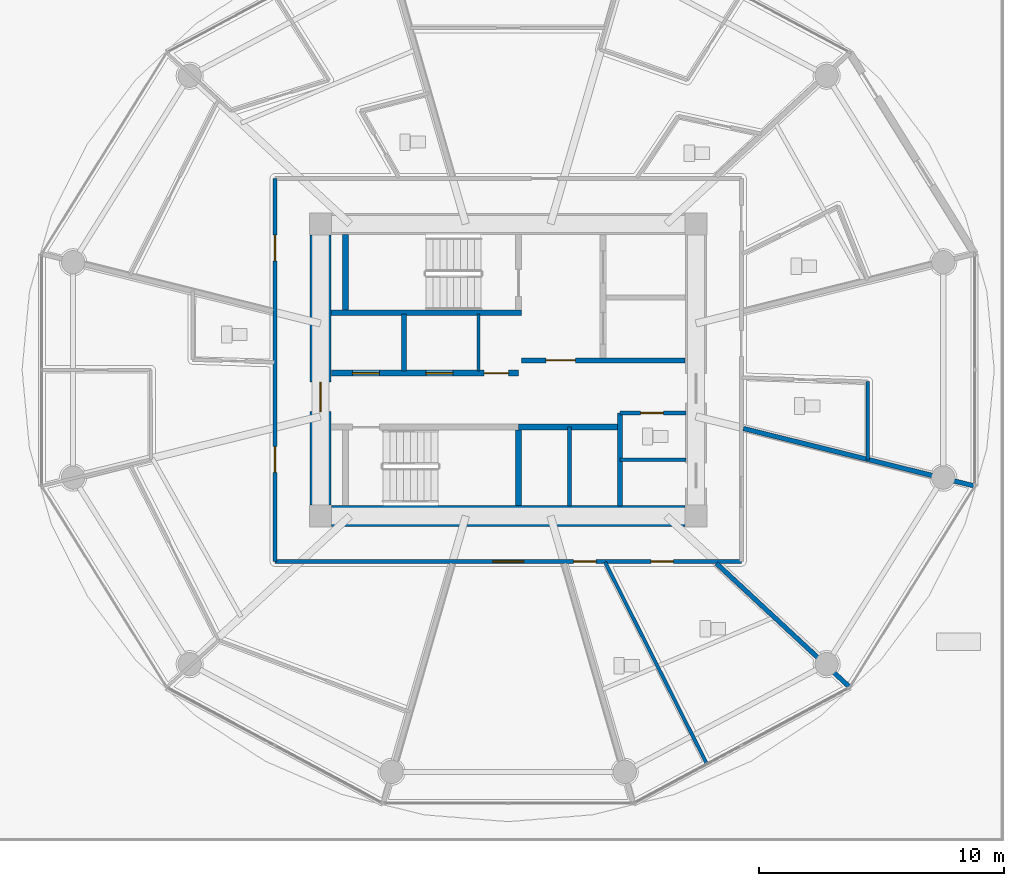
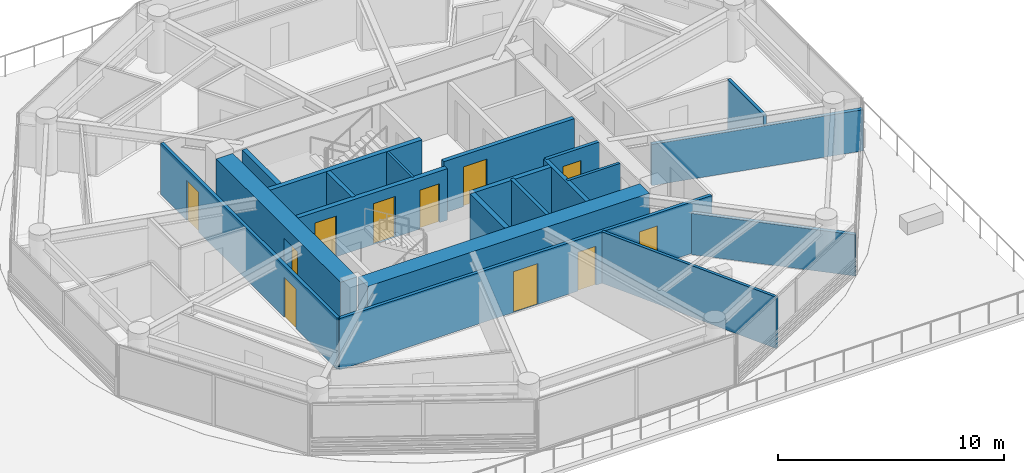
# One storey, part 18 of 32: 20 walls, 11 doors, 11 openings.
"""IFC4 building model written with IfcOpenShell, lengths in metres."""

from ifc_helpers import new_model, si_unit, direction, frame, frame_2d, origin, place, context, subcontext, project, spatial, rectangle, extrude, source, transform, mapped, material, layer, layer_set, type_object, type_shapes, element, fill, save


model = new_model("IFC4")

# Units and contexts
model_context = context("Model", 3, precision=1e-05, world=origin(), true_north=direction((0.0, 1.0)))
body_context = subcontext(model_context, "Body", "Model", "MODEL_VIEW")
ifc_project = project(units=[si_unit("LENGTHUNIT", "METRE"), si_unit("AREAUNIT", "SQUARE_METRE"), si_unit("VOLUMEUNIT", "CUBIC_METRE"), si_unit("PLANEANGLEUNIT", "RADIAN"), si_unit("MASSUNIT", "GRAM", prefix="KILO")], contexts=[model_context])

# Site, building, storey
site_placement = place(None, origin())
site = spatial("IfcSite", under=ifc_project, at=site_placement, CompositionType="ELEMENT")
building_placement = place(site_placement, origin())
building = spatial("IfcBuilding", under=site, at=building_placement, Name="Norrkilde Senior Care Towers", CompositionType="ELEMENT")
storey_placement = place(building_placement, frame((0.0, 0.0, 21.60009765625)))
storey = spatial("IfcBuildingStorey", under=building, at=storey_placement, Name="L05", CompositionType="ELEMENT", Elevation=21.60009765625)

# Wall
ifc_material_1 = material(Name="Concrete C60/75", Category="concrete")
ifc_layer_1 = layer(ifc_material_1, 0.85009765625)
ifc_layer_set_1 = layer_set([ifc_layer_1], Name="Concrete C60/75")
wall_type_1 = type_object("IfcWallType", Name="Core Shear Wall Z1 850", PredefinedType="SHEAR", material=ifc_layer_set_1)
shared_shape_1 = source(origin(), body_context, "Body", "SweptSolid", [
    extrude(rectangle(XDim=14.39990234375, YDim=0.85009765625, at=frame_2d((7.199951171875, 0.0))), origin(), (0.0, 0.0, 1.0), 2.789794921875),
])
wall_1_placement = place(storey_placement, frame((35.199951171875, -5.949951171875, 0.0), z_axis=(0.0, 0.0, 1.0), x_axis=(-1.0, 0.0, 0.0)))
element("IfcWall", 1, at=wall_1_placement, inside=storey, type_object=wall_type_1, Name="L05 Core E South Shear Wall", PredefinedType="SHEAR", context=body_context, shape_type="MappedRepresentation", body=[
    mapped(shared_shape_1, transform((0.0, 0.0, 0.0), x_axis=(1.0, 0.0, 0.0), y_axis=(0.0, 1.0, 0.0), z_axis=(0.0, 0.0, 1.0), scale=1.0)),
])

# Wall, opening, door
shared_shape_2 = source(origin(), body_context, "Body", "SweptSolid", [
    extrude(rectangle(XDim=11.0, YDim=0.85009765625, at=frame_2d((5.5, 0.0))), origin(), (0.0, 0.0, 1.0), 2.789794921875),
])
type_shapes(wall_type_1, [shared_shape_1, shared_shape_2])
wall_2_placement = place(storey_placement, frame((20.35009765625, -5.5, 0.0), z_axis=(0.0, 0.0, 1.0), x_axis=(0.0, 1.0, 0.0)))
wall_2 = element("IfcWall", 2, at=wall_2_placement, inside=storey, type_object=wall_type_1, Name="L05 Core E West Shear Wall", PredefinedType="SHEAR", context=body_context, shape_type="MappedRepresentation", body=[
    mapped(shared_shape_2, transform((0.0, 0.0, 0.0), x_axis=(1.0, 0.0, 0.0), y_axis=(0.0, 1.0, 0.0), z_axis=(0.0, 0.0, 1.0), scale=1.0)),
])
opening_1_placement = place(wall_2_placement, frame((3.800048828125, 0.0, 0.0)))
opening_1 = element("IfcOpeningElement", 3, at=opening_1_placement, cuts=wall_2, Name="Opening D-04", PredefinedType="OPENING", context=body_context, shape_type="SweptSolid", body=[
    extrude(rectangle(XDim=1.199951171875, YDim=2.14990234375, at=frame_2d((0.60009765625, 1.074951171875))), frame((0.0, 0.43505859375, 0.0), z_axis=(0.0, -1.0, 0.0), x_axis=(1.0, 0.0, 0.0)), (0.0, 0.0, 1.0), 0.8701171875),
])
ifc_material_2 = material(Name="Galvanised Painted Steel", Category="steel")
door_type_1 = type_object("IfcDoorType", Name="Firefighting Lobby Fire Door 1200x2150", OperationType="NOTDEFINED", PredefinedType="DOOR", material=ifc_material_2)
shared_shape_3 = source(origin(), body_context, "Body", "SweptSolid", [
    extrude(rectangle(XDim=1.199951171875, YDim=2.14990234375, at=frame_2d((0.60009765625, 1.074951171875))), frame((0.0, 0.02490234375, 0.0), z_axis=(0.0, -1.0, 0.0), x_axis=(1.0, 0.0, 0.0)), (0.0, 0.0, 1.0), 0.050048828125),
])
type_shapes(door_type_1, [shared_shape_3])
door_1_placement = place(opening_1_placement, frame((1.199951171875, 0.0, 0.0), z_axis=(0.0, 0.0, 1.0), x_axis=(-1.0, 0.0, 0.0)))
door_1 = element("IfcDoor", 4, at=door_1_placement, inside=storey, type_object=door_type_1, Name="L05 Core E West Portal Door", OperationType="SINGLE_SWING_LEFT", OverallHeight=2.14990234375, OverallWidth=1.199951171875, PredefinedType="DOOR", context=body_context, shape_type="MappedRepresentation", body=[
    mapped(shared_shape_3, transform((0.0, 0.0, 0.0), x_axis=(1.0, 0.0, 0.0), y_axis=(0.0, 1.0, 0.0), z_axis=(0.0, 0.0, 1.0), scale=1.0)),
])
fill(opening_1, door_1)

# Walls
ifc_material_3 = material(Name="Concrete C45/55", Category="concrete")
ifc_layer_2 = layer(ifc_material_3, 0.239990234375)
ifc_layer_set_2 = layer_set([ifc_layer_2], Name="Concrete C45/55")
wall_type_2 = type_object("IfcWallType", Name="Shaft and Stair Enclosure Wall 240", PredefinedType="PARTITIONING", material=ifc_layer_set_2)
shared_shape_4 = source(origin(), body_context, "Body", "SweptSolid", [
    extrude(rectangle(XDim=7.76513671875, YDim=0.239990234375, at=frame_2d((3.882568359375, 0.0))), origin(), (0.0, 0.0, 1.0), 2.789794921875),
])
wall_3_placement = place(storey_placement, frame((20.77490234375, 2.330078125, 0.0), z_axis=(0.0, 0.0, 1.0), x_axis=(1.0, 0.0, 0.0)))
element("IfcWall", 5, at=wall_3_placement, inside=storey, type_object=wall_type_2, Name="WL-INT-L05-E-ST1S", PredefinedType="PARTITIONING", context=body_context, shape_type="MappedRepresentation", body=[
    mapped(shared_shape_4, transform((0.0, 0.0, 0.0), x_axis=(1.0, 0.0, 0.0), y_axis=(0.0, 1.0, 0.0), z_axis=(0.0, 0.0, 1.0), scale=1.0)),
])
shared_shape_5 = source(origin(), body_context, "Body", "SweptSolid", [
    extrude(rectangle(XDim=3.074951171875, YDim=0.239990234375, at=frame_2d((1.53759765625, 0.0))), origin(), (0.0, 0.0, 1.0), 2.789794921875),
])
type_shapes(wall_type_2, [shared_shape_4, shared_shape_5])
for number, where, z_axis, x_axis, name in (
    (6, (21.3798828125, 2.449951171875, 0.0), (0.0, 0.0, 1.0), (0.0, 1.0, 0.0), "WL-INT-L05-E-ST1W"),
    (7, (28.419921875, -5.52490234375, 0.0), (0.0, 0.0, 1.0), (0.0, 1.0, 0.0), "WL-INT-L05-E-ST2E"),
):
    element("IfcWall", number, at=place(storey_placement, frame(where, z_axis=z_axis, x_axis=x_axis)), inside=storey, type_object=wall_type_2, Name=name, PredefinedType="PARTITIONING", context=body_context, shape_type="MappedRepresentation", body=[
        mapped(shared_shape_5, transform((0.0, 0.0, 0.0), x_axis=(1.0, 0.0, 0.0), y_axis=(0.0, 1.0, 0.0), z_axis=(0.0, 0.0, 1.0), scale=1.0)),
    ])

# Wall, opening, door
ifc_layer_3 = layer(ifc_material_3, 0.2099609375)
ifc_layer_set_3 = layer_set([ifc_layer_3], Name="Concrete C45/55")
wall_type_3 = type_object("IfcWallType", Name="Firefighting Lobby Wall 210", PredefinedType="PARTITIONING", material=ifc_layer_set_3)
shared_shape_6 = source(origin(), body_context, "Body", "SweptSolid", [
    extrude(rectangle(XDim=6.659912109375, YDim=0.2099609375, at=frame_2d((3.330078125, 0.0))), origin(), (0.0, 0.0, 1.0), 2.77490234375),
])
type_shapes(wall_type_3, [shared_shape_6])
wall_4_placement = place(storey_placement, frame((28.5400390625, 0.389892578125, 0.0), z_axis=(0.0, 0.0, 1.0), x_axis=(1.0, 0.0, 0.0)))
wall_4 = element("IfcWall", 8, at=wall_4_placement, inside=storey, type_object=wall_type_3, Name="WL-INT-L05-E-FFLS", PredefinedType="PARTITIONING", context=body_context, shape_type="MappedRepresentation", body=[
    mapped(shared_shape_6, transform((0.0, 0.0, 0.0), x_axis=(1.0, 0.0, 0.0), y_axis=(0.0, 1.0, 0.0), z_axis=(0.0, 0.0, 1.0), scale=1.0)),
])
opening_2_placement = place(wall_4_placement, frame((1.0, 0.0, 0.0)))
opening_2 = element("IfcOpeningElement", 9, at=opening_2_placement, cuts=wall_4, Name="Opening D-04", PredefinedType="OPENING", context=body_context, shape_type="SweptSolid", body=[
    extrude(rectangle(XDim=1.199951171875, YDim=2.14990234375, at=frame_2d((0.60009765625, 1.074951171875))), frame((0.0, 0.114990234375, 0.0), z_axis=(0.0, -1.0, 0.0), x_axis=(1.0, 0.0, 0.0)), (0.0, 0.0, 1.0), 0.22998046875),
])
door_2_placement = place(opening_2_placement, frame((1.199951171875, 0.0, 0.0), z_axis=(0.0, 0.0, 1.0), x_axis=(-1.0, 0.0, 0.0)))
door_2 = element("IfcDoor", 10, at=door_2_placement, inside=storey, type_object=door_type_1, Name="L05 Firefighting Lobby E Door", OperationType="SINGLE_SWING_LEFT", OverallHeight=2.14990234375, OverallWidth=1.199951171875, PredefinedType="DOOR", context=body_context, shape_type="MappedRepresentation", body=[
    mapped(shared_shape_3, transform((0.0, 0.0, 0.0), x_axis=(1.0, 0.0, 0.0), y_axis=(0.0, 1.0, 0.0), z_axis=(0.0, 0.0, 1.0), scale=1.0)),
])
fill(opening_2, door_2)

# Wall, openings, doors
ifc_layer_4 = layer(ifc_material_3, 0.239990234375)
ifc_layer_set_4 = layer_set([ifc_layer_4], Name="Concrete C45/55")
wall_type_4 = type_object("IfcWallType", Name="Lift and Plant Rated Enclosure Partition 240", PredefinedType="PARTITIONING", material=ifc_layer_set_4)
shared_shape_7 = source(origin(), body_context, "Body", "SweptSolid", [
    extrude(rectangle(XDim=7.619873046875, YDim=0.239990234375, at=frame_2d((3.81005859375, 0.0))), origin(), (0.0, 0.0, 1.0), 2.77490234375),
])
wall_5_placement = place(storey_placement, frame((20.800048828125, -0.1298828125, 0.0), z_axis=(0.0, 0.0, 1.0), x_axis=(1.0, 0.0, 0.0)))
wall_5 = element("IfcWall", 11, at=wall_5_placement, inside=storey, type_object=wall_type_4, Name="WL-INT-L05-E-PKAS", PredefinedType="PARTITIONING", context=body_context, shape_type="MappedRepresentation", body=[
    mapped(shared_shape_7, transform((0.0, 0.0, 0.0), x_axis=(1.0, 0.0, 0.0), y_axis=(0.0, 1.0, 0.0), z_axis=(0.0, 0.0, 1.0), scale=1.0)),
])
opening_3_placement = place(wall_5_placement, frame((6.219970703125, 0.0, 0.0)))
opening_3 = element("IfcOpeningElement", 12, at=opening_3_placement, cuts=wall_5, Name="Opening D-10", PredefinedType="OPENING", context=body_context, shape_type="SweptSolid", body=[
    extrude(rectangle(XDim=1.0, YDim=2.10009765625, at=frame_2d((0.5, 1.050048828125))), frame((0.0, 0.1298828125, 0.0), z_axis=(0.0, -1.0, 0.0), x_axis=(1.0, 0.0, 0.0)), (0.0, 0.0, 1.0), 0.260009765625),
])
opening_4_placement = place(wall_5_placement, frame((0.85009765625, 0.0, 0.0)))
opening_4 = element("IfcOpeningElement", 13, at=opening_4_placement, cuts=wall_5, Name="Opening LD-01", PredefinedType="OPENING", context=body_context, shape_type="SweptSolid", body=[
    extrude(rectangle(XDim=1.10009765625, YDim=2.199951171875, at=frame_2d((0.550048828125, 1.10009765625))), frame((0.0, 0.1298828125, 0.0), z_axis=(0.0, -1.0, 0.0), x_axis=(1.0, 0.0, 0.0)), (0.0, 0.0, 1.0), 0.260009765625),
])
opening_5_placement = place(wall_5_placement, frame((3.85009765625, 0.0, 0.0)))
opening_5 = element("IfcOpeningElement", 14, at=opening_5_placement, cuts=wall_5, Name="Opening LD-01", PredefinedType="OPENING", context=body_context, shape_type="SweptSolid", body=[
    extrude(rectangle(XDim=1.10009765625, YDim=2.199951171875, at=frame_2d((0.550048828125, 1.10009765625))), frame((0.0, 0.1298828125, 0.0), z_axis=(0.0, -1.0, 0.0), x_axis=(1.0, 0.0, 0.0)), (0.0, 0.0, 1.0), 0.260009765625),
])
door_type_2 = type_object("IfcDoorType", Name="Plant and Riser Rated Door 1000x2100", OperationType="NOTDEFINED", PredefinedType="DOOR", material=ifc_material_2)
shared_shape_8 = source(origin(), body_context, "Body", "SweptSolid", [
    extrude(rectangle(XDim=1.0, YDim=2.10009765625, at=frame_2d((0.5, 1.050048828125))), frame((0.0, 0.02490234375, 0.0), z_axis=(0.0, -1.0, 0.0), x_axis=(1.0, 0.0, 0.0)), (0.0, 0.0, 1.0), 0.050048828125),
])
type_shapes(door_type_2, [shared_shape_8])
door_3_placement = place(opening_3_placement, frame((1.0, 0.0, 0.0), z_axis=(0.0, 0.0, 1.0), x_axis=(-1.0, 0.0, 0.0)))
door_3 = element("IfcDoor", 15, at=door_3_placement, inside=storey, type_object=door_type_2, Name="L05 Electrical Riser E Door", OperationType="SINGLE_SWING_LEFT", OverallHeight=2.10009765625, OverallWidth=1.0, PredefinedType="DOOR", context=body_context, shape_type="MappedRepresentation", body=[
    mapped(shared_shape_8, transform((0.0, 0.0, 0.0), x_axis=(1.0, 0.0, 0.0), y_axis=(0.0, 1.0, 0.0), z_axis=(0.0, 0.0, 1.0), scale=1.0)),
])
fill(opening_3, door_3)
ifc_material_4 = material(Name="Stainless Steel", Category="steel")
door_type_3 = type_object("IfcDoorType", Name="Lift Landing Sliding Door 1100x2200", OperationType="NOTDEFINED", PredefinedType="DOOR", material=ifc_material_4)
shared_shape_9 = source(origin(), body_context, "Body", "SweptSolid", [
    extrude(rectangle(XDim=1.10009765625, YDim=2.199951171875, at=frame_2d((0.550048828125, 1.10009765625))), frame((0.0, 0.02490234375, 0.0), z_axis=(0.0, -1.0, 0.0), x_axis=(1.0, 0.0, 0.0)), (0.0, 0.0, 1.0), 0.050048828125),
])
type_shapes(door_type_3, [shared_shape_9])
door_4_placement = place(opening_4_placement, origin())
door_4 = element("IfcDoor", 16, at=door_4_placement, inside=storey, type_object=door_type_3, Name="L05 Passenger Lift E1 Landing Door", OperationType="SLIDING_TO_LEFT", OverallHeight=2.199951171875, OverallWidth=1.10009765625, PredefinedType="DOOR", context=body_context, shape_type="MappedRepresentation", body=[
    mapped(shared_shape_9, transform((0.0, 0.0, 0.0), x_axis=(1.0, 0.0, 0.0), y_axis=(0.0, 1.0, 0.0), z_axis=(0.0, 0.0, 1.0), scale=1.0)),
])
fill(opening_4, door_4)
door_5_placement = place(opening_5_placement, origin())
door_5 = element("IfcDoor", 17, at=door_5_placement, inside=storey, type_object=door_type_3, Name="L05 Passenger Lift E2 Landing Door", OperationType="SLIDING_TO_RIGHT", OverallHeight=2.199951171875, OverallWidth=1.10009765625, PredefinedType="DOOR", context=body_context, shape_type="MappedRepresentation", body=[
    mapped(shared_shape_9, transform((0.0, 0.0, 0.0), x_axis=(1.0, 0.0, 0.0), y_axis=(0.0, 1.0, 0.0), z_axis=(0.0, 0.0, 1.0), scale=1.0)),
])
fill(opening_5, door_5)

# Walls
ifc_material_5 = material(Name="Gypsum Acoustic Board")
ifc_layer_5 = layer(ifc_material_5, 0.114990234375)
ifc_layer_set_5 = layer_set([ifc_layer_5], Name="Gypsum Acoustic Board")
wall_type_5 = type_object("IfcWallType", Name="Internal Room Partition 115", PredefinedType="PARTITIONING", material=ifc_layer_set_5)
shared_shape_10 = source(origin(), body_context, "Body", "SweptSolid", [
    extrude(rectangle(XDim=2.330078125, YDim=0.114990234375, at=frame_2d((1.1650390625, 0.0))), origin(), (0.0, 0.0, 1.0), 2.77490234375),
])
type_shapes(wall_type_5, [shared_shape_10])
wall_6_placement = place(storey_placement, frame((26.7900390625, -0.050048828125, 0.0), z_axis=(0.0, 0.0, 1.0), x_axis=(0.0, 1.0, 0.0)))
element("IfcWall", 18, at=wall_6_placement, inside=storey, type_object=wall_type_5, Name="WL-INT-L05-E-RISW", PredefinedType="PARTITIONING", context=body_context, shape_type="MappedRepresentation", body=[
    mapped(shared_shape_10, transform((0.0, 0.0, 0.0), x_axis=(1.0, 0.0, 0.0), y_axis=(0.0, 1.0, 0.0), z_axis=(0.0, 0.0, 1.0), scale=1.0)),
])
ifc_layer_6 = layer(ifc_material_3, 0.199951171875)
ifc_layer_set_6 = layer_set([ifc_layer_6], Name="Concrete C45/55")
wall_type_6 = type_object("IfcWallType", Name="Shaft Division and Plant Partition 200", PredefinedType="PARTITIONING", material=ifc_layer_set_6)
shared_shape_11 = source(origin(), body_context, "Body", "SweptSolid", [
    extrude(rectangle(XDim=2.330078125, YDim=0.199951171875, at=frame_2d((1.1650390625, 0.0))), origin(), (0.0, 0.0, 1.0), 2.77490234375),
])
wall_7_placement = place(storey_placement, frame((23.75, -0.050048828125, 0.0), z_axis=(0.0, 0.0, 1.0), x_axis=(0.0, 1.0, 0.0)))
element("IfcWall", 19, at=wall_7_placement, inside=storey, type_object=wall_type_6, Name="WL-INT-L05-E-PL12", PredefinedType="PARTITIONING", context=body_context, shape_type="MappedRepresentation", body=[
    mapped(shared_shape_11, transform((0.0, 0.0, 0.0), x_axis=(1.0, 0.0, 0.0), y_axis=(0.0, 1.0, 0.0), z_axis=(0.0, 0.0, 1.0), scale=1.0)),
])
shared_shape_12 = source(origin(), body_context, "Body", "SweptSolid", [
    extrude(rectangle(XDim=3.800048828125, YDim=0.199951171875, at=frame_2d((1.89990234375, 0.0))), origin(), (0.0, 0.0, 1.0), 2.77490234375),
])
type_shapes(wall_type_6, [shared_shape_11, shared_shape_12])
wall_8_placement = place(storey_placement, frame((32.550048828125, -5.550048828125, 0.0), z_axis=(0.0, 0.0, 1.0), x_axis=(0.0, 1.0, 0.0)))
element("IfcWall", 20, at=wall_8_placement, inside=storey, type_object=wall_type_6, Name="WL-INT-L05-E-PKBE", PredefinedType="PARTITIONING", context=body_context, shape_type="MappedRepresentation", body=[
    mapped(shared_shape_12, transform((0.0, 0.0, 0.0), x_axis=(1.0, 0.0, 0.0), y_axis=(0.0, 1.0, 0.0), z_axis=(0.0, 0.0, 1.0), scale=1.0)),
])
shared_shape_13 = source(origin(), body_context, "Body", "SweptSolid", [
    extrude(rectangle(XDim=4.130126953125, YDim=0.239990234375, at=frame_2d((2.06494140625, 0.0))), origin(), (0.0, 0.0, 1.0), 2.77490234375),
])
type_shapes(wall_type_4, [shared_shape_7, shared_shape_13])
wall_9_placement = place(storey_placement, frame((28.419921875, -2.330078125, 0.0), z_axis=(0.0, 0.0, 1.0), x_axis=(1.0, 0.0, 0.0)))
element("IfcWall", 21, at=wall_9_placement, inside=storey, type_object=wall_type_4, Name="WL-INT-L05-E-PKBN", PredefinedType="PARTITIONING", context=body_context, shape_type="MappedRepresentation", body=[
    mapped(shared_shape_13, transform((0.0, 0.0, 0.0), x_axis=(1.0, 0.0, 0.0), y_axis=(0.0, 1.0, 0.0), z_axis=(0.0, 0.0, 1.0), scale=1.0)),
])
ifc_layer_7 = layer(ifc_material_3, 0.179931640625)
ifc_layer_set_7 = layer_set([ifc_layer_7], Name="Concrete C45/55")
wall_type_7 = type_object("IfcWallType", Name="Hoistway Division Rated Partition 180", PredefinedType="PARTITIONING", material=ifc_layer_set_7)
shared_shape_14 = source(origin(), body_context, "Body", "SweptSolid", [
    extrude(rectangle(XDim=3.219970703125, YDim=0.179931640625, at=frame_2d((1.60986328125, 0.0))), origin(), (0.0, 0.0, 1.0), 2.77490234375),
])
type_shapes(wall_type_7, [shared_shape_14])
wall_10_placement = place(storey_placement, frame((30.5, -5.550048828125, 0.0), z_axis=(0.0, 0.0, 1.0), x_axis=(0.0, 1.0, 0.0)))
element("IfcWall", 22, at=wall_10_placement, inside=storey, type_object=wall_type_7, Name="WL-INT-L05-E-PL34", PredefinedType="PARTITIONING", context=body_context, shape_type="MappedRepresentation", body=[
    mapped(shared_shape_14, transform((0.0, 0.0, 0.0), x_axis=(1.0, 0.0, 0.0), y_axis=(0.0, 1.0, 0.0), z_axis=(0.0, 0.0, 1.0), scale=1.0)),
])

# Wall, opening, door
ifc_layer_8 = layer(ifc_material_5, 0.1650390625)
ifc_layer_set_8 = layer_set([ifc_layer_8], Name="Gypsum Acoustic Board")
wall_type_8 = type_object("IfcWallType", Name="Corridor Rated Partition 165", PredefinedType="PARTITIONING", material=ifc_layer_set_8)
shared_shape_15 = source(origin(), body_context, "Body", "SweptSolid", [
    extrude(rectangle(XDim=2.699951171875, YDim=0.1650390625, at=frame_2d((1.35009765625, 0.0))), origin(), (0.0, 0.0, 1.0), 2.77490234375),
])
wall_11_placement = place(storey_placement, frame((32.550048828125, -1.75, 0.0), z_axis=(0.0, 0.0, 1.0), x_axis=(1.0, 0.0, 0.0)))
wall_11 = element("IfcWall", 23, at=wall_11_placement, inside=storey, type_object=wall_type_8, Name="WL-INT-L05-E-CSN", PredefinedType="PARTITIONING", context=body_context, shape_type="MappedRepresentation", body=[
    mapped(shared_shape_15, transform((0.0, 0.0, 0.0), x_axis=(1.0, 0.0, 0.0), y_axis=(0.0, 1.0, 0.0), z_axis=(0.0, 0.0, 1.0), scale=1.0)),
])
opening_6_placement = place(wall_11_placement, frame((0.85009765625, 0.0, 0.0)))
opening_6 = element("IfcOpeningElement", 24, at=opening_6_placement, cuts=wall_11, Name="Opening D-12", PredefinedType="OPENING", context=body_context, shape_type="SweptSolid", body=[
    extrude(rectangle(XDim=0.925048828125, YDim=2.10009765625, at=frame_2d((0.46240234375, 1.050048828125))), frame((0.0, 0.092529296875, 0.0), z_axis=(0.0, -1.0, 0.0), x_axis=(1.0, 0.0, 0.0)), (0.0, 0.0, 1.0), 0.18505859375),
])
door_type_4 = type_object("IfcDoorType", Name="Core Wet Room Rated Door 925x2100", OperationType="NOTDEFINED", PredefinedType="DOOR", material=ifc_material_2)
shared_shape_16 = source(origin(), body_context, "Body", "SweptSolid", [
    extrude(rectangle(XDim=0.925048828125, YDim=2.10009765625, at=frame_2d((0.46240234375, 1.050048828125))), frame((0.0, 0.02490234375, 0.0), z_axis=(0.0, -1.0, 0.0), x_axis=(1.0, 0.0, 0.0)), (0.0, 0.0, 1.0), 0.050048828125),
])
type_shapes(door_type_4, [shared_shape_16])
door_6_placement = place(opening_6_placement, origin())
door_6 = element("IfcDoor", 25, at=door_6_placement, inside=storey, type_object=door_type_4, Name="L05 Staff WC E Door", OperationType="SINGLE_SWING_LEFT", OverallHeight=2.10009765625, OverallWidth=0.925048828125, PredefinedType="DOOR", context=body_context, shape_type="MappedRepresentation", body=[
    mapped(shared_shape_16, transform((0.0, 0.0, 0.0), x_axis=(1.0, 0.0, 0.0), y_axis=(0.0, 1.0, 0.0), z_axis=(0.0, 0.0, 1.0), scale=1.0)),
])
fill(opening_6, door_6)

# Wall
ifc_layer_9 = layer(ifc_material_5, 0.139892578125)
ifc_layer_set_9 = layer_set([ifc_layer_9], Name="Gypsum Acoustic Board")
wall_type_9 = type_object("IfcWallType", Name="En-suite Wet Room Wall 140", PredefinedType="PARTITIONING", material=ifc_layer_set_9)
shared_shape_17 = source(origin(), body_context, "Body", "SweptSolid", [
    extrude(rectangle(XDim=2.699951171875, YDim=0.139892578125, at=frame_2d((1.35009765625, 0.0))), origin(), (0.0, 0.0, 1.0), 2.77490234375),
])
wall_12_placement = place(storey_placement, frame((32.550048828125, -3.64990234375, 0.0), z_axis=(0.0, 0.0, 1.0), x_axis=(1.0, 0.0, 0.0)))
element("IfcWall", 26, at=wall_12_placement, inside=storey, type_object=wall_type_9, Name="WL-INT-L05-E-CS2H", PredefinedType="PARTITIONING", context=body_context, shape_type="MappedRepresentation", body=[
    mapped(shared_shape_17, transform((0.0, 0.0, 0.0), x_axis=(1.0, 0.0, 0.0), y_axis=(0.0, 1.0, 0.0), z_axis=(0.0, 0.0, 1.0), scale=1.0)),
])

# Wall, openings, doors
shared_shape_18 = source(origin(), body_context, "Body", "SweptSolid", [
    extrude(rectangle(XDim=19.0, YDim=0.1650390625, at=frame_2d((9.5, 0.0))), origin(), (0.0, 0.0, 1.0), 2.77490234375),
])
wall_13_placement = place(storey_placement, frame((37.5, -7.800048828125, 0.0), z_axis=(0.0, 0.0, 1.0), x_axis=(-1.0, 0.0, 0.0)))
wall_13 = element("IfcWall", 27, at=wall_13_placement, inside=storey, type_object=wall_type_8, Name="WL-INT-L05-E-CRW-S-0", PredefinedType="PARTITIONING", context=body_context, shape_type="MappedRepresentation", body=[
    mapped(shared_shape_18, transform((0.0, 0.0, 0.0), x_axis=(1.0, 0.0, 0.0), y_axis=(0.0, 1.0, 0.0), z_axis=(0.0, 0.0, 1.0), scale=1.0)),
])
opening_7_placement = place(wall_13_placement, frame((8.875, 0.0, 0.0)))
opening_7 = element("IfcOpeningElement", 28, at=opening_7_placement, cuts=wall_13, Name="Opening D-05", PredefinedType="OPENING", context=body_context, shape_type="SweptSolid", body=[
    extrude(rectangle(XDim=1.25, YDim=2.199951171875, at=frame_2d((0.625, 1.10009765625))), frame((0.0, 0.092529296875, 0.0), z_axis=(0.0, -1.0, 0.0), x_axis=(1.0, 0.0, 0.0)), (0.0, 0.0, 1.0), 0.18505859375),
])
opening_8_placement = place(wall_13_placement, frame((5.915283203125, 0.0, 0.0)))
opening_8 = element("IfcOpeningElement", 29, at=opening_8_placement, cuts=wall_13, Name="Opening D-08", PredefinedType="OPENING", context=body_context, shape_type="SweptSolid", body=[
    extrude(rectangle(XDim=0.919921875, YDim=2.10009765625, at=frame_2d((0.4599609375, 1.050048828125))), frame((0.0, 0.092529296875, 0.0), z_axis=(0.0, -1.0, 0.0), x_axis=(1.0, 0.0, 0.0)), (0.0, 0.0, 1.0), 0.18505859375),
])
opening_9_placement = place(wall_13_placement, frame((2.76904296875, 0.0, 0.0)))
opening_9 = element("IfcOpeningElement", 30, at=opening_9_placement, cuts=wall_13, Name="Opening D-08", PredefinedType="OPENING", context=body_context, shape_type="SweptSolid", body=[
    extrude(rectangle(XDim=0.919921875, YDim=2.10009765625, at=frame_2d((0.4599609375, 1.050048828125))), frame((0.0, 0.092529296875, 0.0), z_axis=(0.0, -1.0, 0.0), x_axis=(1.0, 0.0, 0.0)), (0.0, 0.0, 1.0), 0.18505859375),
])
ifc_material_6 = material(Name="Nordic Ash Timber", Category="wood")
door_type_5 = type_object("IfcDoorType", Name="Care Bedroom Bariatric Door 1250x2200", OperationType="NOTDEFINED", PredefinedType="DOOR", material=ifc_material_6)
shared_shape_19 = source(origin(), body_context, "Body", "SweptSolid", [
    extrude(rectangle(XDim=1.25, YDim=2.199951171875, at=frame_2d((0.625, 1.10009765625))), frame((0.0, 0.02490234375, 0.0), z_axis=(0.0, -1.0, 0.0), x_axis=(1.0, 0.0, 0.0)), (0.0, 0.0, 1.0), 0.050048828125),
])
type_shapes(door_type_5, [shared_shape_19])
door_7_placement = place(opening_7_placement, frame((1.25, 0.0, 0.0), z_axis=(0.0, 0.0, 1.0), x_axis=(-1.0, 0.0, 0.0)))
door_7 = element("IfcDoor", 31, at=door_7_placement, inside=storey, type_object=door_type_5, Name="L05 Senior Wellness Library Lounge Door", OperationType="SINGLE_SWING_LEFT", OverallHeight=2.199951171875, OverallWidth=1.25, PredefinedType="DOOR", context=body_context, shape_type="MappedRepresentation", body=[
    mapped(shared_shape_19, transform((0.0, 0.0, 0.0), x_axis=(1.0, 0.0, 0.0), y_axis=(0.0, 1.0, 0.0), z_axis=(0.0, 0.0, 1.0), scale=1.0)),
])
fill(opening_7, door_7)
door_type_6 = type_object("IfcDoorType", Name="Accessible Wet Room Door 920x2100", OperationType="NOTDEFINED", PredefinedType="DOOR", material=ifc_material_6)
shared_shape_20 = source(origin(), body_context, "Body", "SweptSolid", [
    extrude(rectangle(XDim=0.919921875, YDim=2.10009765625, at=frame_2d((0.4599609375, 1.050048828125))), frame((0.0, 0.02490234375, 0.0), z_axis=(0.0, -1.0, 0.0), x_axis=(1.0, 0.0, 0.0)), (0.0, 0.0, 1.0), 0.050048828125),
])
type_shapes(door_type_6, [shared_shape_20])
door_8_placement = place(opening_8_placement, frame((0.919921875, 0.0, 0.0), z_axis=(0.0, 0.0, 1.0), x_axis=(-1.0, 0.0, 0.0)))
door_8 = element("IfcDoor", 32, at=door_8_placement, inside=storey, type_object=door_type_6, Name="L05 Accessible Restroom Door", OperationType="SINGLE_SWING_RIGHT", OverallHeight=2.10009765625, OverallWidth=0.919921875, PredefinedType="DOOR", context=body_context, shape_type="MappedRepresentation", body=[
    mapped(shared_shape_20, transform((0.0, 0.0, 0.0), x_axis=(1.0, 0.0, 0.0), y_axis=(0.0, 1.0, 0.0), z_axis=(0.0, 0.0, 1.0), scale=1.0)),
])
fill(opening_8, door_8)
door_9_placement = place(opening_9_placement, frame((0.919921875, 0.0, 0.0), z_axis=(0.0, 0.0, 1.0), x_axis=(-1.0, 0.0, 0.0)))
door_9 = element("IfcDoor", 33, at=door_9_placement, inside=storey, type_object=door_type_6, Name="L05 Public Restroom Door", OperationType="SINGLE_SWING_LEFT", OverallHeight=2.10009765625, OverallWidth=0.919921875, PredefinedType="DOOR", context=body_context, shape_type="MappedRepresentation", body=[
    mapped(shared_shape_20, transform((0.0, 0.0, 0.0), x_axis=(1.0, 0.0, 0.0), y_axis=(0.0, 1.0, 0.0), z_axis=(0.0, 0.0, 1.0), scale=1.0)),
])
fill(opening_9, door_9)

shared_shape_21 = source(origin(), body_context, "Body", "SweptSolid", [
    extrude(rectangle(XDim=15.60009765625, YDim=0.1650390625, at=frame_2d((7.800048828125, 0.0))), origin(), (0.0, 0.0, 1.0), 2.77490234375),
])
type_shapes(wall_type_8, [shared_shape_15, shared_shape_18, shared_shape_21])
wall_14_placement = place(storey_placement, frame((18.5, -7.800048828125, 0.0), z_axis=(0.0, 0.0, 1.0), x_axis=(0.0, 1.0, 0.0)))
wall_14 = element("IfcWall", 34, at=wall_14_placement, inside=storey, type_object=wall_type_8, Name="WL-INT-L05-E-CRW-W-0", PredefinedType="PARTITIONING", context=body_context, shape_type="MappedRepresentation", body=[
    mapped(shared_shape_21, transform((0.0, 0.0, 0.0), x_axis=(1.0, 0.0, 0.0), y_axis=(0.0, 1.0, 0.0), z_axis=(0.0, 0.0, 1.0), scale=1.0)),
])
opening_10_placement = place(wall_14_placement, frame((12.241455078125, 0.0, 0.0)))
opening_10 = element("IfcOpeningElement", 35, at=opening_10_placement, cuts=wall_14, Name="Opening D-06", PredefinedType="OPENING", context=body_context, shape_type="SweptSolid", body=[
    extrude(rectangle(XDim=1.050048828125, YDim=2.14990234375, at=frame_2d((0.52490234375, 1.074951171875))), frame((0.0, 0.092529296875, 0.0), z_axis=(0.0, -1.0, 0.0), x_axis=(1.0, 0.0, 0.0)), (0.0, 0.0, 1.0), 0.18505859375),
])
opening_11_placement = place(wall_14_placement, frame((3.63037109375, 0.0, 0.0)))
opening_11 = element("IfcOpeningElement", 36, at=opening_11_placement, cuts=wall_14, Name="Opening D-06", PredefinedType="OPENING", context=body_context, shape_type="SweptSolid", body=[
    extrude(rectangle(XDim=1.050048828125, YDim=2.14990234375, at=frame_2d((0.52490234375, 1.074951171875))), frame((0.0, 0.092529296875, 0.0), z_axis=(0.0, -1.0, 0.0), x_axis=(1.0, 0.0, 0.0)), (0.0, 0.0, 1.0), 0.18505859375),
])
door_type_7 = type_object("IfcDoorType", Name="Apartment Entrance Fire Door 1050x2150", OperationType="NOTDEFINED", PredefinedType="DOOR", material=ifc_material_6)
shared_shape_22 = source(origin(), body_context, "Body", "SweptSolid", [
    extrude(rectangle(XDim=1.050048828125, YDim=2.14990234375, at=frame_2d((0.52490234375, 1.074951171875))), frame((0.0, 0.02490234375, 0.0), z_axis=(0.0, -1.0, 0.0), x_axis=(1.0, 0.0, 0.0)), (0.0, 0.0, 1.0), 0.050048828125),
])
type_shapes(door_type_7, [shared_shape_22])
door_10_placement = place(opening_10_placement, frame((1.050048828125, 0.0, 0.0), z_axis=(0.0, 0.0, 1.0), x_axis=(-1.0, 0.0, 0.0)))
door_10 = element("IfcDoor", 37, at=door_10_placement, inside=storey, type_object=door_type_7, Name="Apartment 05B Entrance Door", OperationType="SINGLE_SWING_RIGHT", OverallHeight=2.14990234375, OverallWidth=1.050048828125, PredefinedType="DOOR", context=body_context, shape_type="MappedRepresentation", body=[
    mapped(shared_shape_22, transform((0.0, 0.0, 0.0), x_axis=(1.0, 0.0, 0.0), y_axis=(0.0, 1.0, 0.0), z_axis=(0.0, 0.0, 1.0), scale=1.0)),
])
fill(opening_10, door_10)
door_11_placement = place(opening_11_placement, frame((1.050048828125, 0.0, 0.0), z_axis=(0.0, 0.0, 1.0), x_axis=(-1.0, 0.0, 0.0)))
door_11 = element("IfcDoor", 38, at=door_11_placement, inside=storey, type_object=door_type_7, Name="Apartment 05C Entrance Door", OperationType="SINGLE_SWING_RIGHT", OverallHeight=2.14990234375, OverallWidth=1.050048828125, PredefinedType="DOOR", context=body_context, shape_type="MappedRepresentation", body=[
    mapped(shared_shape_22, transform((0.0, 0.0, 0.0), x_axis=(1.0, 0.0, 0.0), y_axis=(0.0, 1.0, 0.0), z_axis=(0.0, 0.0, 1.0), scale=1.0)),
])
fill(opening_11, door_11)

# Walls
ifc_layer_10 = layer(ifc_material_5, 0.18994140625)
ifc_layer_set_10 = layer_set([ifc_layer_10], Name="Gypsum Acoustic Board")
wall_type_10 = type_object("IfcWallType", Name="Unit Demising Acoustic Wall 190", PredefinedType="PARTITIONING", material=ifc_layer_set_10)
shared_shape_23 = source(origin(), body_context, "Body", "SweptSolid", [
    extrude(rectangle(XDim=7.4345703125, YDim=0.18994140625, at=frame_2d((3.71728515625, 0.0))), origin(), (0.0, 0.0, 1.0), 2.224853515625),
])
wall_15_placement = place(storey_placement, frame((36.48291015625, -7.8798828125, 0.0), z_axis=(0.0, 0.0, 1.0), x_axis=(0.732651956848, -0.680603489652, 0.0)))
element("IfcWall", 39, at=wall_15_placement, inside=storey, type_object=wall_type_10, Name="WL-INT-L05-E-DEM-10-0", PredefinedType="PARTITIONING", context=body_context, shape_type="MappedRepresentation", body=[
    mapped(shared_shape_23, transform((0.0, 0.0, 0.0), x_axis=(1.0, 0.0, 0.0), y_axis=(0.0, 1.0, 0.0), z_axis=(0.0, 0.0, 1.0), scale=1.0)),
])
shared_shape_24 = source(origin(), body_context, "Body", "SweptSolid", [
    extrude(rectangle(XDim=9.22509765625, YDim=0.139892578125, at=frame_2d((4.612548828125, 0.0))), origin(), (0.0, 0.0, 1.0), 2.77490234375),
])
wall_16_placement = place(storey_placement, frame((31.94580078125, -7.830078125, 0.0), z_axis=(0.0, 0.0, 1.0), x_axis=(0.450460543767, -0.892796336523, 0.0)))
element("IfcWall", 40, at=wall_16_placement, inside=storey, type_object=wall_type_9, Name="WL-INT-L05-E-MID-09", PredefinedType="PARTITIONING", context=body_context, shape_type="MappedRepresentation", body=[
    mapped(shared_shape_24, transform((0.0, 0.0, 0.0), x_axis=(1.0, 0.0, 0.0), y_axis=(0.0, 1.0, 0.0), z_axis=(0.0, 0.0, 1.0), scale=1.0)),
])
shared_shape_25 = source(origin(), body_context, "Body", "SweptSolid", [
    extrude(rectangle(XDim=9.737060546875, YDim=0.18994140625, at=frame_2d((4.86865234375, 0.0))), origin(), (0.0, 0.0, 1.0), 2.224853515625),
])
type_shapes(wall_type_10, [shared_shape_23, shared_shape_25])
wall_17_placement = place(storey_placement, frame((37.580078125, -2.384521484375, 0.0), z_axis=(0.0, 0.0, 1.0), x_axis=(0.970392716238, -0.241532557375, 0.0)))
element("IfcWall", 41, at=wall_17_placement, inside=storey, type_object=wall_type_10, Name="WL-INT-L05-E-DEM-11-0", PredefinedType="PARTITIONING", context=body_context, shape_type="MappedRepresentation", body=[
    mapped(shared_shape_25, transform((0.0, 0.0, 0.0), x_axis=(1.0, 0.0, 0.0), y_axis=(0.0, 1.0, 0.0), z_axis=(0.0, 0.0, 1.0), scale=1.0)),
])
shared_shape_26 = source(origin(), body_context, "Body", "SweptSolid", [
    extrude(rectangle(XDim=3.187255859375, YDim=0.139892578125, at=frame_2d((1.59375, 0.0))), origin(), (0.0, 0.0, 1.0), 2.77490234375),
])
type_shapes(wall_type_9, [shared_shape_17, shared_shape_24, shared_shape_26])
wall_18_placement = place(storey_placement, frame((42.655029296875, -0.477783203125, 0.0), z_axis=(0.0, 0.0, 1.0), x_axis=(-0.002221365642, -0.999997532764, 0.0)))
element("IfcWall", 42, at=wall_18_placement, inside=storey, type_object=wall_type_9, Name="WL-INT-L05-E-EF-11", PredefinedType="PARTITIONING", context=body_context, shape_type="MappedRepresentation", body=[
    mapped(shared_shape_26, transform((0.0, 0.0, 0.0), x_axis=(1.0, 0.0, 0.0), y_axis=(0.0, 1.0, 0.0), z_axis=(0.0, 0.0, 1.0), scale=1.0)),
])

save(model, "model.ifc")
